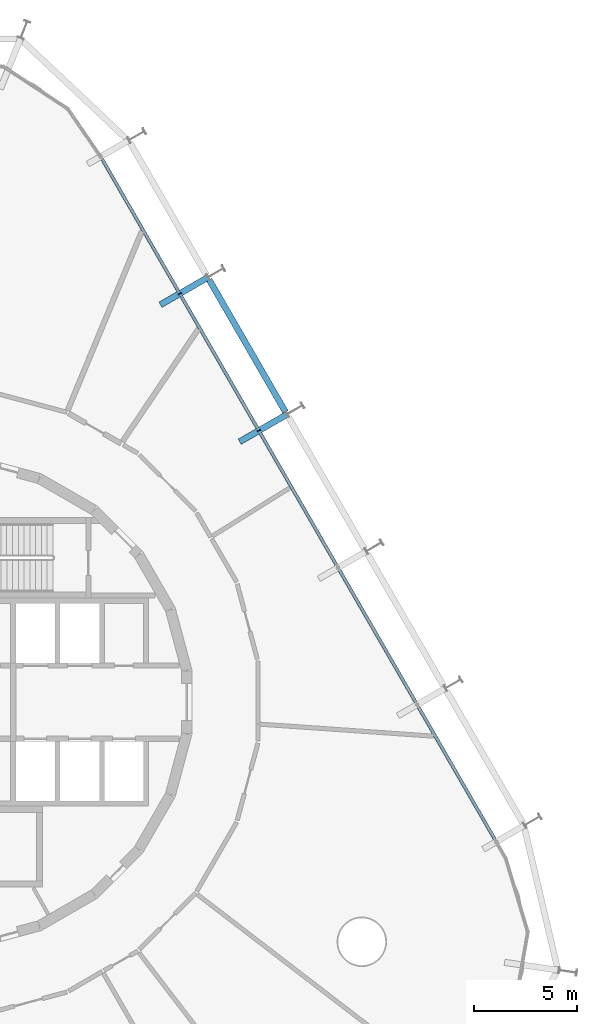
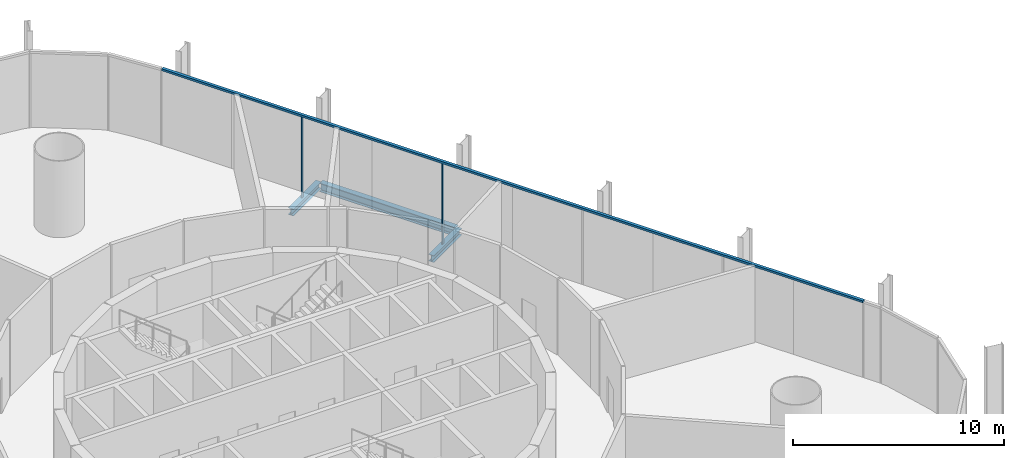
# One storey, part 10 of 17: 3 beams, 3 members, 1 element without a shape of its own.
"""IFC4 building model written with IfcOpenShell, lengths in metres."""

from ifc_helpers import new_model, si_unit, direction, frame, origin, origin_2d, place, context, subcontext, project, spatial, rectangle, i_section, extrude, material, layer, layer_set, material_profile, profile_set, type_object, element, aggregate, save


model = new_model("IFC4")

# Units and contexts
model_context = context("Model", 3, precision=1e-05, world=origin(), true_north=direction((0.0, 1.0)))
body_context = subcontext(model_context, "Body", "Model", "MODEL_VIEW")
ifc_project = project(units=[si_unit("LENGTHUNIT", "METRE"), si_unit("AREAUNIT", "SQUARE_METRE"), si_unit("VOLUMEUNIT", "CUBIC_METRE"), si_unit("PLANEANGLEUNIT", "RADIAN"), si_unit("MASSUNIT", "GRAM", prefix="KILO")], contexts=[model_context])

# Site, building, storey
site_placement = place(None, origin())
site = spatial("IfcSite", under=ifc_project, at=site_placement, CompositionType="ELEMENT")
building_placement = place(site_placement, origin())
building = spatial("IfcBuilding", under=site, at=building_placement, Name="Spindle Arch Residences", CompositionType="ELEMENT")
storey_placement = place(building_placement, frame((0.0, 0.0, 13.800048828125)))
storey = spatial("IfcBuildingStorey", under=building, at=storey_placement, Name="L02", CompositionType="ELEMENT", Elevation=13.800048828125)

# Curtain wall, members
ifc_material_1 = material(Name="Aluminium bronze unitised frame with tinted glass", Category="aluminium")
ifc_layer = layer(ifc_material_1, 0.159912109375)
ifc_layer_set = layer_set([ifc_layer], Name="CW-B amenity podium glazed wall")
curtain_wall_type = type_object("IfcCurtainWallType", Name="CW-B amenity podium glazed wall", PredefinedType="NOTDEFINED", material=ifc_layer_set)
curtain_wall_placement = place(storey_placement, origin())
curtain_wall = element("IfcCurtainWall", 1, at=curtain_wall_placement, inside=storey, type_object=curtain_wall_type, Name="CW-B L02 run 2", PredefinedType="NOTDEFINED")
ifc_material_2 = material(Name="Aluminium bronze anodised mullion", Category="aluminium")
ifc_material_profile_1 = material_profile(ifc_material_2, rectangle(XDim=0.159912109375, YDim=0.06005859375, at=origin_2d()), Name="MU 60x160")
ifc_profile_set_1 = profile_set([ifc_material_profile_1], Name="Aluminium bronze anodised mullion")
member_type_1 = type_object("IfcMemberType", Name="Bronze mullion 60x160", PredefinedType="MULLION", material=ifc_profile_set_1)
member_1_placement = place(storey_placement, frame((15.149169921875, 13.180419921875, -0.380126953125), z_axis=(0.0, 0.0, 1.0), x_axis=(-0.866025403784, -0.5, 0.0)))
member_1 = element("IfcMember", 2, at=member_1_placement, type_object=member_type_1, Name="CW-B mullion 08", PredefinedType="MULLION", context=body_context, shape_type="SweptSolid", body=[
    extrude(rectangle(XDim=0.159912109375, YDim=0.06005859375, at=origin_2d()), origin(), (0.0, 0.0, 1.0), 4.68017578125),
])
member_2_placement = place(storey_placement, frame((11.309326171875, 19.83154296875, -0.380126953125), z_axis=(0.0, 0.0, 1.0), x_axis=(-0.866025403784, -0.5, 0.0)))
member_2 = element("IfcMember", 3, at=member_2_placement, type_object=member_type_1, Name="CW-B mullion 09", PredefinedType="MULLION", context=body_context, shape_type="SweptSolid", body=[
    extrude(rectangle(XDim=0.159912109375, YDim=0.06005859375, at=origin_2d()), origin(), (0.0, 0.0, 1.0), 4.68017578125),
])
ifc_material_3 = material(Name="Aluminium bronze anodised transom", Category="aluminium")
ifc_material_profile_2 = material_profile(ifc_material_3, rectangle(XDim=0.159912109375, YDim=0.1201171875, at=origin_2d()), Name="TR 120x160")
ifc_profile_set_2 = profile_set([ifc_material_profile_2], Name="Aluminium bronze anodised transom")
member_type_2 = type_object("IfcMemberType", Name="Bronze transom 120x160", PredefinedType="USERDEFINED", material=ifc_profile_set_2)
member_3_placement = place(storey_placement, frame((26.654296875, -6.746826171875, 4.35986328125), z_axis=(-0.50000099666, 0.866024828362, 0.0), x_axis=(-0.866024828362, -0.50000099666, 0.0)))
member_3 = element("IfcMember", 4, at=member_3_placement, type_object=member_type_2, Name="CW-B transom 00", ObjectType="TRANSOM", PredefinedType="USERDEFINED", context=body_context, shape_type="SweptSolid", body=[
    extrude(rectangle(XDim=0.159912109375, YDim=0.1201171875, at=origin_2d()), origin(), (0.0, 0.0, 1.0), 38.34033203125),
])
aggregate(curtain_wall, [member_3, member_1, member_2])

# Beams
ifc_material_4 = material(Name="Steel S460ML, intumescent coating R 120", Category="steel")
ifc_material_profile_3 = material_profile(ifc_material_4, i_section(OverallWidth=0.300048828125, OverallDepth=0.5, WebThickness=0.014404296875, FlangeThickness=0.028076171875, FilletRadius=0.027099609375, at=origin_2d()), Name="HEB 500")
ifc_profile_set_3 = profile_set([ifc_material_profile_3], Name="Steel S460ML, intumescent coating R 120")
beam_type_1 = type_object("IfcBeamType", Name="Exoskeleton edge beam HEB 500", PredefinedType="BEAM", material=ifc_profile_set_3)
beam_placement = place(storey_placement, frame((16.44384765625, 14.078125, -0.630126953125), z_axis=(-0.49998923004, 0.866031621735, 0.0), x_axis=(-0.866031621735, -0.49998923004, 0.0)))
element("IfcBeam", 5, at=beam_placement, inside=storey, type_object=beam_type_1, Name="Exoskeleton edge beam 9", PredefinedType="BEAM", context=body_context, shape_type="SweptSolid", body=[
    extrude(i_section(OverallWidth=0.300048828125, OverallDepth=0.5, WebThickness=0.014404296875, FlangeThickness=0.028076171875, FilletRadius=0.027099609375, at=origin_2d()), origin(), (0.0, 0.0, 1.0), 7.420166015625),
])
ifc_material_5 = material(Name="Steel S460ML, intumescent coating R 120", Category="steel")
ifc_material_profile_4 = material_profile(ifc_material_5, i_section(OverallWidth=0.300048828125, OverallDepth=0.389892578125, WebThickness=0.010986328125, FlangeThickness=0.01904296875, FilletRadius=0.027099609375, at=origin_2d()), Name="HEA 400")
ifc_profile_set_4 = profile_set([ifc_material_profile_4], Name="Steel S460ML, intumescent coating R 120")
beam_type_2 = type_object("IfcBeamType", Name="Floor outrigger HEA 400", PredefinedType="BEAM", material=ifc_profile_set_4)
for number, where, z_axis, x_axis, name in (
    (6, (16.5087890625, 13.965576171875, -0.574951171875), (-0.865989200783, -0.500062700197, 0.0), (0.500062700197, -0.865989200783, 0.0), "Floor outrigger 9"),
    (7, (12.6689453125, 20.61669921875, -0.574951171875), (-0.866052124492, -0.499953715521, 0.0), (0.499953715521, -0.866052124492, 0.0), "Floor outrigger 10"),
):
    element("IfcBeam", number, at=place(storey_placement, frame(where, z_axis=z_axis, x_axis=x_axis)), inside=storey, type_object=beam_type_2, Name=name, PredefinedType="BEAM", context=body_context, shape_type="SweptSolid", body=[
        extrude(i_section(OverallWidth=0.300048828125, OverallDepth=0.389892578125, WebThickness=0.010986328125, FlangeThickness=0.01904296875, FilletRadius=0.027099609375, at=origin_2d()), origin(), (0.0, 0.0, 1.0), 2.650146484375),
    ])

save(model, "model.ifc")
